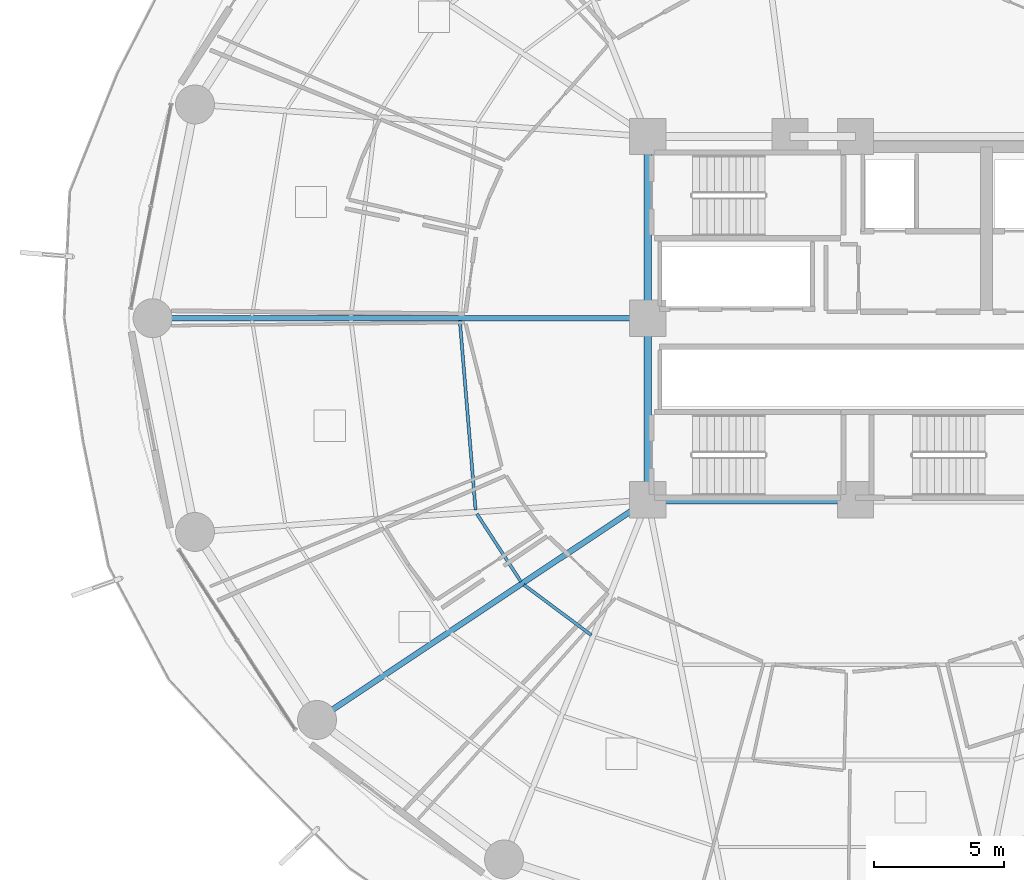
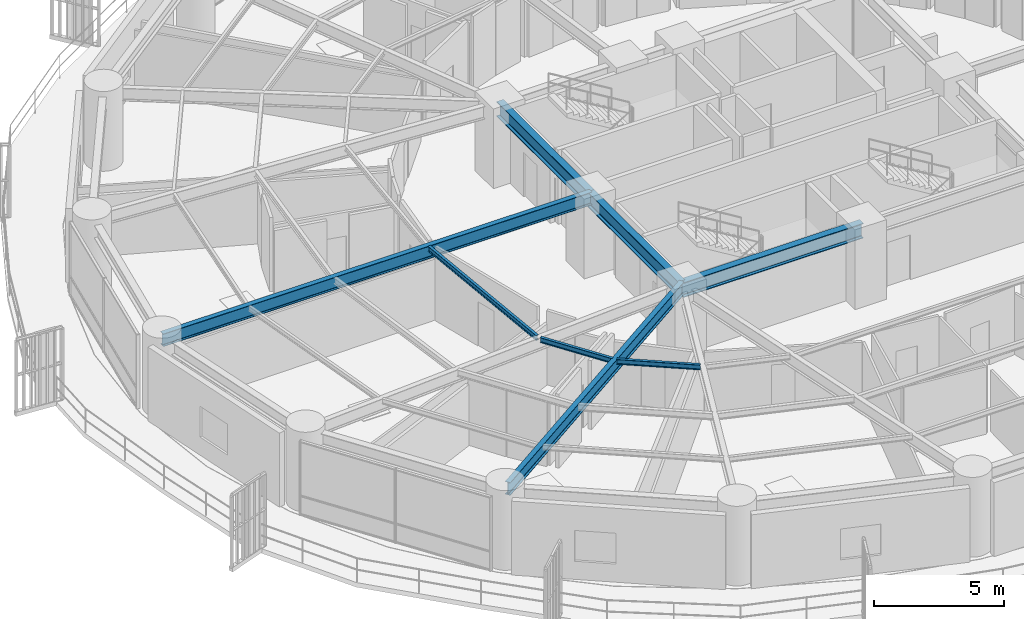
# One storey, part 7 of 34: 8 beams.
"""IFC4 building model written with IfcOpenShell, lengths in metres."""

from ifc_helpers import new_model, si_unit, direction, frame, origin, origin_2d, place, context, subcontext, project, spatial, i_section, extrude, material, material_profile, profile_set, type_object, element, save


model = new_model("IFC4")

# Units and contexts
model_context = context("Model", 3, precision=1e-05, world=origin(), true_north=direction((0.0, 1.0)))
body_context = subcontext(model_context, "Body", "Model", "MODEL_VIEW")
ifc_project = project(units=[si_unit("LENGTHUNIT", "METRE"), si_unit("AREAUNIT", "SQUARE_METRE"), si_unit("VOLUMEUNIT", "CUBIC_METRE"), si_unit("PLANEANGLEUNIT", "RADIAN"), si_unit("MASSUNIT", "GRAM", prefix="KILO")], contexts=[model_context])

# Site, building, storey
site_placement = place(None, origin())
site = spatial("IfcSite", under=ifc_project, at=site_placement, CompositionType="ELEMENT")
building_placement = place(site_placement, origin())
building = spatial("IfcBuilding", under=site, at=building_placement, Name="Kelanora Arch Commons", CompositionType="ELEMENT")
storey_placement = place(building_placement, frame((0.0, 0.0, 30.0)))
storey = spatial("IfcBuildingStorey", under=building, at=storey_placement, Name="L07", CompositionType="ELEMENT", Elevation=30.0)

# Beams
ifc_material = material(Name="Steel S355", Category="steel")
ifc_material_profile_1 = material_profile(ifc_material, i_section(OverallWidth=0.300048828125, OverallDepth=0.699951171875, WebThickness=0.01708984375, FlangeThickness=0.031982421875, FilletRadius=0.027099609375, at=origin_2d()), Name="HEB700")
ifc_profile_set_1 = profile_set([ifc_material_profile_1], Name="Steel S355")
beam_type_1 = type_object("IfcBeamType", Name="BM-CORE-HDR", PredefinedType="BEAM", material=ifc_profile_set_1)
beam_1_placement = place(storey_placement, frame((66.0, 51.0, 3.139892578125), z_axis=(1.0, 0.0, 0.0), x_axis=(0.0, 1.0, 0.0)))
element("IfcBeam", 1, at=beam_1_placement, inside=storey, type_object=beam_type_1, Name="Core Header Beam 01 L07", PredefinedType="BEAM", context=body_context, shape_type="SweptSolid", body=[
    extrude(i_section(OverallWidth=0.300048828125, OverallDepth=0.699951171875, WebThickness=0.01708984375, FlangeThickness=0.031982421875, FilletRadius=0.027099609375, at=origin_2d()), origin(), (0.0, 0.0, 1.0), 8.0),
])
for number, where, z_axis, x_axis, name in (
    (2, (66.0, 65.0, 3.139892578125), (0.0, -1.0, 0.0), (1.0, 0.0, 0.0), "Core Header Beam 08 L07"),
    (3, (66.0, 58.0, 3.139892578125), (0.0, -1.0, 0.0), (1.0, 0.0, 0.0), "Core Header Beam 09 L07"),
):
    element("IfcBeam", number, at=place(storey_placement, frame(where, z_axis=z_axis, x_axis=x_axis)), inside=storey, type_object=beam_type_1, Name=name, PredefinedType="BEAM", context=body_context, shape_type="SweptSolid", body=[
        extrude(i_section(OverallWidth=0.300048828125, OverallDepth=0.699951171875, WebThickness=0.01708984375, FlangeThickness=0.031982421875, FilletRadius=0.027099609375, at=origin_2d()), origin(), (0.0, 0.0, 1.0), 7.0),
    ])
ifc_material_profile_2 = material_profile(ifc_material, i_section(OverallWidth=0.1201171875, OverallDepth=0.239990234375, WebThickness=0.006103515625, FlangeThickness=0.009765625, FilletRadius=0.014892578125, at=origin_2d()), Name="IPE240")
ifc_profile_set_2 = profile_set([ifc_material_profile_2], Name="Steel S355")
beam_type_2 = type_object("IfcBeamType", Name="BM-JST-02", PredefinedType="JOIST", material=ifc_profile_set_2)
beam_2_placement = place(storey_placement, frame((58.756591796875, 57.915283203125, 3.3701171875), z_axis=(0.082786209886, -0.996567330115, 0.0), x_axis=(0.996567330115, 0.082786209886, 0.0)))
element("IfcBeam", 4, at=beam_2_placement, inside=storey, type_object=beam_type_2, Name="Secondary Chord Joist BJA-18 L07", PredefinedType="JOIST", context=body_context, shape_type="SweptSolid", body=[
    extrude(i_section(OverallWidth=0.1201171875, OverallDepth=0.239990234375, WebThickness=0.006103515625, FlangeThickness=0.009765625, FilletRadius=0.014892578125, at=origin_2d()), origin(), (0.0, 0.0, 1.0), 7.325439453125),
])
beam_3_placement = place(storey_placement, frame((59.41650390625, 50.458984375, 3.3701171875), z_axis=(0.544591105858, -0.838701691557, 0.0), x_axis=(0.838701691557, 0.544591105858, 0.0)))
element("IfcBeam", 5, at=beam_3_placement, inside=storey, type_object=beam_type_2, Name="Secondary Chord Joist BJA-20 L07", PredefinedType="JOIST", context=body_context, shape_type="SweptSolid", body=[
    extrude(i_section(OverallWidth=0.1201171875, OverallDepth=0.239990234375, WebThickness=0.006103515625, FlangeThickness=0.009765625, FilletRadius=0.014892578125, at=origin_2d()), origin(), (0.0, 0.0, 1.0), 3.111328125),
])
beam_4_placement = place(storey_placement, frame((61.22509765625, 47.727294921875, 3.3701171875), z_axis=(0.801513822608, -0.59797624716, 0.0), x_axis=(0.59797624716, 0.801513822608, 0.0)))
element("IfcBeam", 6, at=beam_4_placement, inside=storey, type_object=beam_type_2, Name="Secondary Chord Joist BJA-22 L07", PredefinedType="JOIST", context=body_context, shape_type="SweptSolid", body=[
    extrude(i_section(OverallWidth=0.1201171875, OverallDepth=0.239990234375, WebThickness=0.006103515625, FlangeThickness=0.009765625, FilletRadius=0.014892578125, at=origin_2d()), origin(), (0.0, 0.0, 1.0), 3.245849609375),
])
ifc_material_profile_3 = material_profile(ifc_material, i_section(OverallWidth=0.219970703125, OverallDepth=0.60009765625, WebThickness=0.011962890625, FlangeThickness=0.01904296875, FilletRadius=0.02392578125, at=origin_2d()), Name="IPE600")
ifc_profile_set_3 = profile_set([ifc_material_profile_3], Name="Steel S355")
beam_type_3 = type_object("IfcBeamType", Name="BM-RAD-Z1", PredefinedType="BEAM", material=ifc_profile_set_3)
beam_5_placement = place(storey_placement, frame((66.0, 58.0, 3.18994140625), z_axis=(-1.0, 0.0, 0.0), x_axis=(0.0, -1.0, 0.0)))
element("IfcBeam", 7, at=beam_5_placement, inside=storey, type_object=beam_type_3, Name="Radial Floor Girder BR-18 L07", PredefinedType="BEAM", context=body_context, shape_type="SweptSolid", body=[
    extrude(i_section(OverallWidth=0.219970703125, OverallDepth=0.60009765625, WebThickness=0.011962890625, FlangeThickness=0.01904296875, FilletRadius=0.02392578125, at=origin_2d()), origin(), (0.0, 0.0, 1.0), 19.080078125),
])
beam_6_placement = place(storey_placement, frame((66.0, 51.0, 3.18994140625), z_axis=(-0.832592623638, -0.553885839379, 0.0), x_axis=(0.553885839379, -0.832592623638, 0.0)))
element("IfcBeam", 8, at=beam_6_placement, inside=storey, type_object=beam_type_3, Name="Radial Floor Girder BR-22 L07", PredefinedType="BEAM", context=body_context, shape_type="SweptSolid", body=[
    extrude(i_section(OverallWidth=0.219970703125, OverallDepth=0.60009765625, WebThickness=0.011962890625, FlangeThickness=0.01904296875, FilletRadius=0.02392578125, at=origin_2d()), origin(), (0.0, 0.0, 1.0), 15.0869140625),
])

save(model, "model.ifc")
